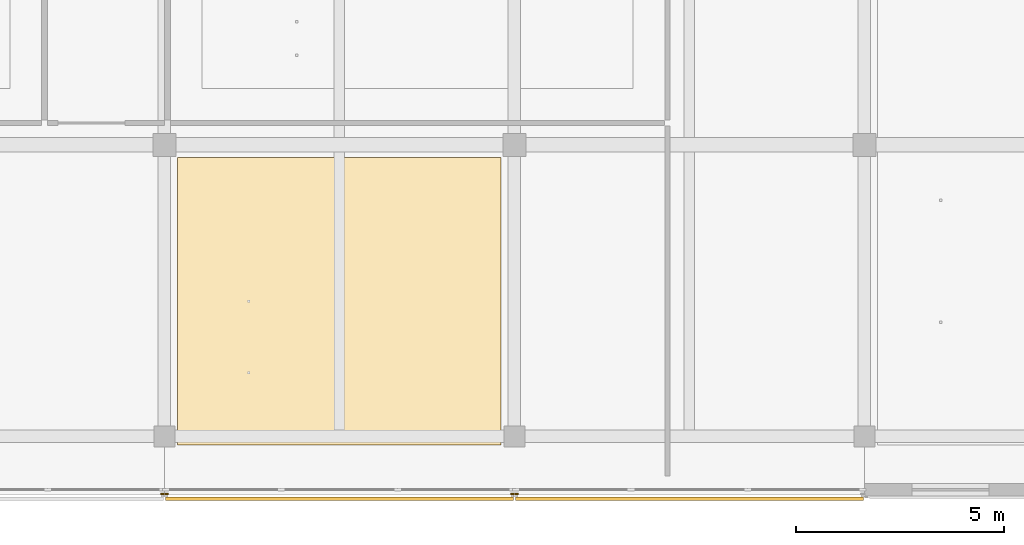
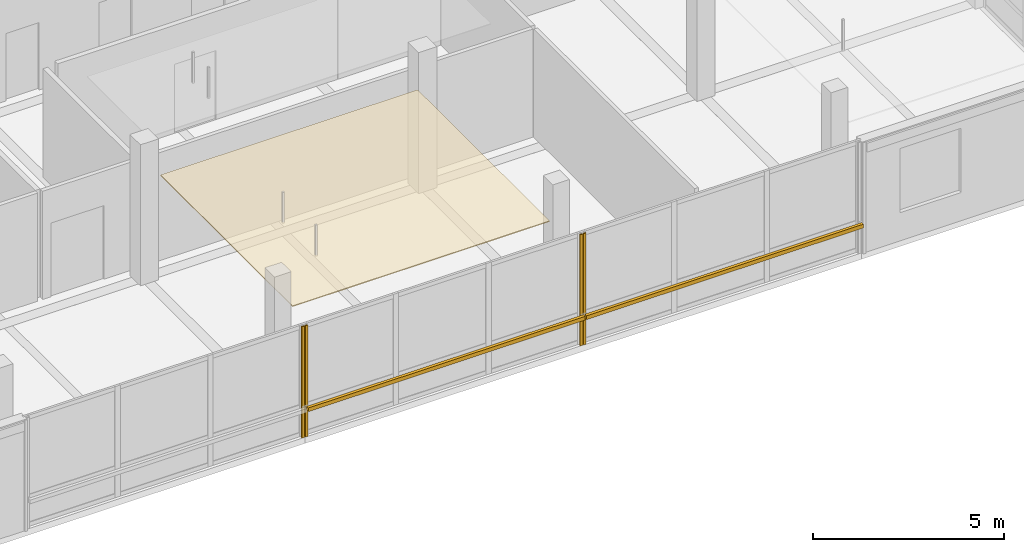
# One storey, part 15 of 20: 5 coverings, 2 shading devices.
"""IFC4 building model written with IfcOpenShell, lengths in metres."""

from ifc_helpers import new_model, si_unit, direction, frame, origin, origin_2d, place, context, subcontext, project, spatial, polyline, rectangle, outline, extrude, material, layer, layer_set, type_object, element, save


model = new_model("IFC4")

# Units and contexts
model_context = context("Model", 3, precision=1e-05, world=origin(), true_north=direction((0.0, 1.0)))
body_context = subcontext(model_context, "Body", "Model", "MODEL_VIEW")
ifc_project = project(units=[si_unit("LENGTHUNIT", "METRE"), si_unit("AREAUNIT", "SQUARE_METRE"), si_unit("VOLUMEUNIT", "CUBIC_METRE"), si_unit("PLANEANGLEUNIT", "RADIAN"), si_unit("MASSUNIT", "GRAM", prefix="KILO")], contexts=[model_context])

# Site, building, storey
site_placement = place(None, origin())
site = spatial("IfcSite", under=ifc_project, at=site_placement, CompositionType="ELEMENT")
building_placement = place(site_placement, origin())
building = spatial("IfcBuilding", under=site, at=building_placement, Name="Telukmera Botanical Conservatory", CompositionType="ELEMENT")
storey_placement = place(building_placement, frame((0.0, 0.0, 69.0)))
storey = spatial("IfcBuildingStorey", under=building, at=storey_placement, Name="L15", CompositionType="ELEMENT", Elevation=69.0)

# Coverings
ifc_material_1 = material(Name="Mineral fibre acoustic ceiling")
ifc_layer_1 = layer(ifc_material_1, 0.030029296875)
ifc_layer_set_1 = layer_set([ifc_layer_1], Name="Mineral fibre acoustic ceiling")
covering_type_1 = type_object("IfcCoveringType", Name="COV-CEIL-30", PredefinedType="CEILING", material=ifc_layer_set_1)
covering_placement = place(storey_placement, frame((0.0, 0.0, 3.320068359375)))
element("IfcCovering", 1, at=covering_placement, inside=storey, type_object=covering_type_1, Name="L15 Visitor Sky Gallery Suspended Acoustic Ceiling", PredefinedType="CEILING", context=body_context, shape_type="SweptSolid", body=[
    extrude(outline(polyline([(75.919921875, 10.39990234375), (83.679931640625, 10.39990234375), (83.679931640625, 17.300048828125), (75.919921875, 17.300048828125), (75.919921875, 10.39990234375)])), origin(), (0.0, 0.0, 1.0), 0.030029296875),
])
ifc_material_2 = material(Name="Granite-faced precast concrete C40/50", Category="masonry")
ifc_layer_2 = layer(ifc_material_2, 0.0400390625)
ifc_layer_set_2 = layer_set([ifc_layer_2], Name="Granite-faced precast concrete C40/50")
covering_type_2 = type_object("IfcCoveringType", Name="Granite Precast Column Pier Reveal Casing", PredefinedType="CLADDING", material=ifc_layer_set_2)
for number, where, z_axis, x_axis, name in (
    (2, (75.548095703125, 9.219970703125, 0.0), (0.0, 0.0, 1.0), (1.0, 0.0, 0.0), "Granite Pier Reveal V4:L15:S2 R"),
    (3, (75.652099609375, 9.219970703125, 0.0), (0.0, 0.0, 1.0), (1.0, 0.0, 0.0), "Granite Pier Reveal V4:L15:S3 L"),
    (4, (83.947998046875, 9.219970703125, 0.0), (0.0, 0.0, 1.0), (1.0, 0.0, 0.0), "Granite Pier Reveal V4:L15:S3 R"),
    (5, (84.052001953125, 9.219970703125, 0.0), (0.0, 0.0, 1.0), (1.0, 0.0, 0.0), "Granite Pier Reveal V4:L15:S4 L"),
):
    element("IfcCovering", number, at=place(storey_placement, frame(where, z_axis=z_axis, x_axis=x_axis)), inside=storey, type_object=covering_type_2, Name=name, PredefinedType="CLADDING", context=body_context, shape_type="SweptSolid", body=[
        extrude(rectangle(XDim=0.080078125, YDim=0.0400390625, at=origin_2d()), origin(), (0.0, 0.0, 1.0), 3.550048828125),
    ])

# Shading devices
ifc_material_3 = material(Name="Perforated terracotta-anodised aluminium 6063-T6", Category="masonry")
ifc_layer_3 = layer(ifc_material_3, 0.044921875)
ifc_layer_set_3 = layer_set([ifc_layer_3], Name="Perforated terracotta-anodised aluminium 6063-T6")
shading_device_type = type_object("IfcShadingDeviceType", Name="Perforated Terracotta Aluminium Monsoon Brise Soleil", PredefinedType="JALOUSIE", material=ifc_layer_set_3)
for number, where, z_axis, x_axis, name in (
    (6, (79.800048828125, 9.10498046875, 0.889892578125), (0.0, 0.0, 1.0), (1.0, 0.0, 0.0), "Monsoon Shading BS01 V4:L15:S3"),
    (7, (88.199951171875, 9.10498046875, 0.889892578125), (0.0, 0.0, 1.0), (1.0, 0.0, 0.0), "Monsoon Shading BS01 V4:L15:S4"),
):
    element("IfcShadingDevice", number, at=place(storey_placement, frame(where, z_axis=z_axis, x_axis=x_axis)), inside=storey, type_object=shading_device_type, Name=name, PredefinedType="JALOUSIE", context=body_context, shape_type="SweptSolid", body=[
        extrude(rectangle(XDim=8.35595703125, YDim=0.090087890625, at=origin_2d()), origin(), (0.0, 0.0, 1.0), 0.1201171875),
    ])

save(model, "model.ifc")
